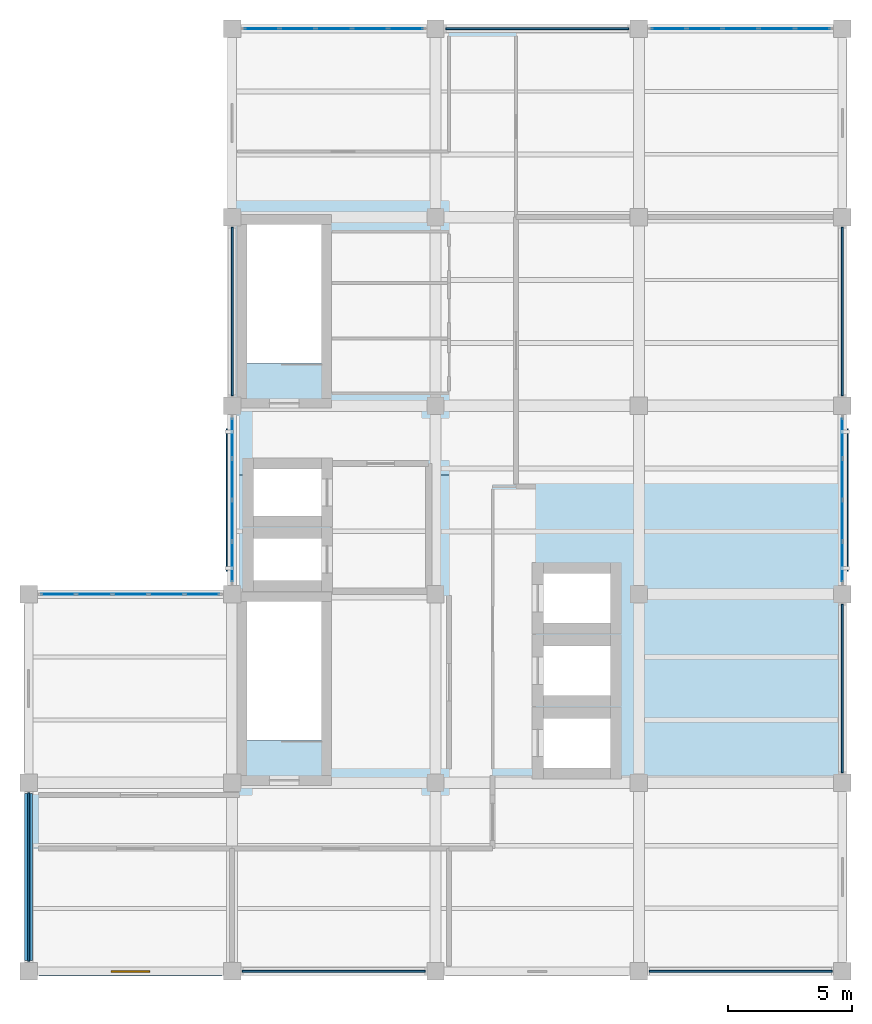
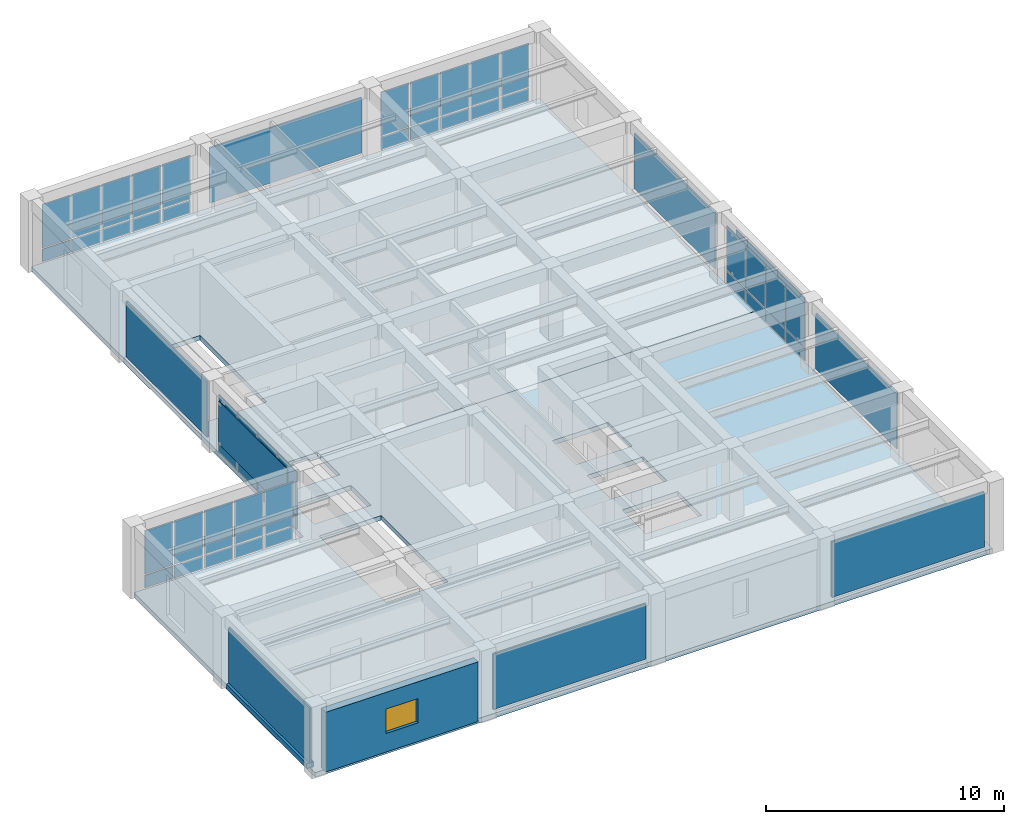
# One storey, part 5 of 8: 55 plates, 2 slabs, 2 walls, 1 window, 1 opening, 5 elements without a shape of their own.
"""IFC4 building model written with IfcOpenShell, lengths in metres."""

from ifc_helpers import new_model, si_unit, direction, frame, frame_2d, origin, origin_2d, place, context, subcontext, project, spatial, polyline, rectangle, outline, extrude, material, layer, layer_set, type_object, element, fill, aggregate, save


model = new_model("IFC4")

# Units and contexts
model_context = context("Model", 3, precision=1e-05, world=origin(), true_north=direction((0.0, 1.0)))
body_context = subcontext(model_context, "Body", "Model", "MODEL_VIEW")
ifc_project = project(units=[si_unit("LENGTHUNIT", "METRE"), si_unit("AREAUNIT", "SQUARE_METRE"), si_unit("VOLUMEUNIT", "CUBIC_METRE"), si_unit("PLANEANGLEUNIT", "RADIAN"), si_unit("MASSUNIT", "GRAM", prefix="KILO")], contexts=[model_context])

# Site, building, storey
site_placement = place(None, origin())
site = spatial("IfcSite", under=ifc_project, at=site_placement, CompositionType="ELEMENT")
building_placement = place(site_placement, origin())
building = spatial("IfcBuilding", under=site, at=building_placement, Name="Qandaris Square Conservatory and Botanical Centre", CompositionType="ELEMENT")
storey_placement = place(building_placement, frame((0.0, 0.0, 70.199951171875)))
storey = spatial("IfcBuildingStorey", under=building, at=storey_placement, Name="L16", CompositionType="ELEMENT", Elevation=70.199951171875)

# Plates
ifc_material_1 = material(Name="Anodised Aluminium", Category="aluminium")
ifc_layer_1 = layer(ifc_material_1, 0.080078125)
ifc_layer_set_1 = layer_set([ifc_layer_1], Name="Anodised Aluminium")
plate_type_1 = type_object("IfcPlateType", Name="Acoustic Plant Louvre Screen Panel", PredefinedType="USERDEFINED", material=ifc_layer_set_1)
for number, where, z_axis, x_axis, name in (
    (1, (143.300048828125, 16.60009765625, 0.239990234375), (0.0, 0.0, 1.0), (1.0, 0.0, 0.0), "Plant Louvre Screen L16-1.2"),
    (2, (159.699951171875, 16.60009765625, 0.239990234375), (0.0, 0.0, 1.0), (1.0, 0.0, 0.0), "Plant Louvre Screen L16-1.4"),
):
    element("IfcPlate", number, at=place(storey_placement, frame(where, z_axis=z_axis, x_axis=x_axis)), inside=storey, type_object=plate_type_1, Name=name, ObjectType="PLANT LOUVRE", PredefinedType="USERDEFINED", context=body_context, shape_type="SweptSolid", body=[
        extrude(rectangle(XDim=7.3798828125, YDim=0.080078125, at=origin_2d()), origin(), (0.0, 0.0, 1.0), 2.830078125),
    ])
for number, where, z_axis, x_axis, name in (
    (3, (163.800048828125, 28.0, 0.239990234375), (0.0, 0.0, 1.0), (0.0, 1.0, 0.0), "Plant Louvre Screen L16-2.2"),
    (4, (163.800048828125, 43.199951171875, 0.239990234375), (0.0, 0.0, 1.0), (0.0, 1.0, 0.0), "Plant Louvre Screen L16-2.4"),
):
    element("IfcPlate", number, at=place(storey_placement, frame(where, z_axis=z_axis, x_axis=x_axis)), inside=storey, type_object=plate_type_1, Name=name, ObjectType="PLANT LOUVRE", PredefinedType="USERDEFINED", context=body_context, shape_type="SweptSolid", body=[
        extrude(rectangle(XDim=6.780029296875, YDim=0.080078125, at=origin_2d()), origin(), (0.0, 0.0, 1.0), 2.830078125),
    ])
plate_1_placement = place(storey_placement, frame((151.5, 54.60009765625, 0.239990234375), z_axis=(0.0, 0.0, 1.0), x_axis=(-1.0, 0.0, 0.0)))
element("IfcPlate", 5, at=plate_1_placement, inside=storey, type_object=plate_type_1, Name="Plant Louvre Screen L16-3.2", ObjectType="PLANT LOUVRE", PredefinedType="USERDEFINED", context=body_context, shape_type="SweptSolid", body=[
    extrude(rectangle(XDim=7.3798828125, YDim=0.080078125, at=origin_2d()), origin(), (0.0, 0.0, 1.0), 2.830078125),
])
for number, where, z_axis, x_axis, name in (
    (6, (139.199951171875, 43.199951171875, 0.239990234375), (0.0, 0.0, 1.0), (0.0, -1.0, 0.0), "Plant Louvre Screen L16-4.2"),
    (7, (131.0, 20.39990234375, 0.239990234375), (0.0, 0.0, 1.0), (0.0, -1.0, 0.0), "Plant Louvre Screen L16-6.2"),
):
    element("IfcPlate", number, at=place(storey_placement, frame(where, z_axis=z_axis, x_axis=x_axis)), inside=storey, type_object=plate_type_1, Name=name, ObjectType="PLANT LOUVRE", PredefinedType="USERDEFINED", context=body_context, shape_type="SweptSolid", body=[
        extrude(rectangle(XDim=6.780029296875, YDim=0.080078125, at=origin_2d()), origin(), (0.0, 0.0, 1.0), 2.830078125),
    ])

# Curtain wall, plates
curtain_wall_type_1 = type_object("IfcCurtainWallType", Name="Unitised Curtain Wall CW-4-670x307", PredefinedType="USERDEFINED", material=ifc_material_1)
curtain_wall_1_placement = place(storey_placement, origin())
curtain_wall_1 = element("IfcCurtainWall", 8, at=curtain_wall_1_placement, inside=storey, type_object=curtain_wall_type_1, Name="Curtain Wall CW-TWR-L16-2-3", ObjectType="GLAZED CURTAIN WALL", PredefinedType="USERDEFINED")
ifc_material_2 = material(Name="Tempered Low-E Glass", Category="glass")
ifc_layer_2 = layer(ifc_material_2, 0.035888671875)
ifc_layer_set_2 = layer_set([ifc_layer_2], Name="Tempered Low-E Glass")
plate_type_2 = type_object("IfcPlateType", Name="Double-Glazed Solar Control Vision Unit 36mm", PredefinedType="CURTAIN_PANEL", material=ifc_layer_set_2)
plate_2_placement = place(storey_placement, frame((163.800048828125, 33.103759765625, 0.06494140625), z_axis=(0.0, 0.0, 1.0), x_axis=(0.0, 1.0, 0.0)))
plate_2 = element("IfcPlate", 9, at=plate_2_placement, type_object=plate_type_2, Name="CW-4-670x307 panel 1.1", PredefinedType="CURTAIN_PANEL", context=body_context, shape_type="SweptSolid", body=[
    extrude(rectangle(XDim=1.577392578125, YDim=0.035888671875, at=origin_2d()), origin(), (0.0, 0.0, 1.0), 0.639404296875),
])
plate_3_placement = place(storey_placement, frame((163.800048828125, 33.103759765625, 0.76953125), z_axis=(0.0, 0.0, 1.0), x_axis=(0.0, 1.0, 0.0)))
plate_3 = element("IfcPlate", 10, at=plate_3_placement, type_object=plate_type_2, Name="CW-4-670x307 panel 1.2", PredefinedType="CURTAIN_PANEL", context=body_context, shape_type="SweptSolid", body=[
    extrude(rectangle(XDim=1.577392578125, YDim=0.035888671875, at=origin_2d()), origin(), (0.0, 0.0, 1.0), 2.235595703125),
])
plate_4_placement = place(storey_placement, frame((163.800048828125, 34.762451171875, 0.06494140625), z_axis=(0.0, 0.0, 1.0), x_axis=(0.0, 1.0, 0.0)))
plate_4 = element("IfcPlate", 11, at=plate_4_placement, type_object=plate_type_2, Name="CW-4-670x307 panel 2.1", PredefinedType="CURTAIN_PANEL", context=body_context, shape_type="SweptSolid", body=[
    extrude(rectangle(XDim=1.610107421875, YDim=0.035888671875, at=origin_2d()), origin(), (0.0, 0.0, 1.0), 0.639404296875),
])
plate_5_placement = place(storey_placement, frame((163.800048828125, 34.762451171875, 0.76953125), z_axis=(0.0, 0.0, 1.0), x_axis=(0.0, 1.0, 0.0)))
plate_5 = element("IfcPlate", 12, at=plate_5_placement, type_object=plate_type_2, Name="CW-4-670x307 panel 2.2", PredefinedType="CURTAIN_PANEL", context=body_context, shape_type="SweptSolid", body=[
    extrude(rectangle(XDim=1.610107421875, YDim=0.035888671875, at=origin_2d()), origin(), (0.0, 0.0, 1.0), 2.235595703125),
])
plate_6_placement = place(storey_placement, frame((163.800048828125, 36.4375, 0.06494140625), z_axis=(0.0, 0.0, 1.0), x_axis=(0.0, 1.0, 0.0)))
plate_6 = element("IfcPlate", 13, at=plate_6_placement, type_object=plate_type_2, Name="CW-4-670x307 panel 3.1", PredefinedType="CURTAIN_PANEL", context=body_context, shape_type="SweptSolid", body=[
    extrude(rectangle(XDim=1.610107421875, YDim=0.035888671875, at=origin_2d()), origin(), (0.0, 0.0, 1.0), 0.639404296875),
])
plate_7_placement = place(storey_placement, frame((163.800048828125, 36.4375, 0.76953125), z_axis=(0.0, 0.0, 1.0), x_axis=(0.0, 1.0, 0.0)))
plate_7 = element("IfcPlate", 14, at=plate_7_placement, type_object=plate_type_2, Name="CW-4-670x307 panel 3.2", PredefinedType="CURTAIN_PANEL", context=body_context, shape_type="SweptSolid", body=[
    extrude(rectangle(XDim=1.610107421875, YDim=0.035888671875, at=origin_2d()), origin(), (0.0, 0.0, 1.0), 2.235595703125),
])
plate_8_placement = place(storey_placement, frame((163.800048828125, 38.09619140625, 0.06494140625), z_axis=(0.0, 0.0, 1.0), x_axis=(0.0, 1.0, 0.0)))
plate_8 = element("IfcPlate", 15, at=plate_8_placement, type_object=plate_type_2, Name="CW-4-670x307 panel 4.1", PredefinedType="CURTAIN_PANEL", context=body_context, shape_type="SweptSolid", body=[
    extrude(rectangle(XDim=1.577392578125, YDim=0.035888671875, at=origin_2d()), origin(), (0.0, 0.0, 1.0), 0.639404296875),
])
plate_9_placement = place(storey_placement, frame((163.800048828125, 38.09619140625, 0.76953125), z_axis=(0.0, 0.0, 1.0), x_axis=(0.0, 1.0, 0.0)))
plate_9 = element("IfcPlate", 16, at=plate_9_placement, type_object=plate_type_2, Name="CW-4-670x307 panel 4.2", PredefinedType="CURTAIN_PANEL", context=body_context, shape_type="SweptSolid", body=[
    extrude(rectangle(XDim=1.577392578125, YDim=0.035888671875, at=origin_2d()), origin(), (0.0, 0.0, 1.0), 2.235595703125),
])
aggregate(curtain_wall_1, [plate_2, plate_3, plate_4, plate_5, plate_6, plate_7, plate_8, plate_9])

curtain_wall_type_2 = type_object("IfcCurtainWallType", Name="Unitised Curtain Wall CW-3-730x307", PredefinedType="USERDEFINED", material=ifc_material_1)
curtain_wall_2_placement = place(storey_placement, origin())
curtain_wall_2 = element("IfcCurtainWall", 17, at=curtain_wall_2_placement, inside=storey, type_object=curtain_wall_type_2, Name="Curtain Wall CW-TWR-L16-3-1", ObjectType="GLAZED CURTAIN WALL", PredefinedType="USERDEFINED")
plate_10_placement = place(storey_placement, frame((162.603759765625, 54.60009765625, 0.06494140625), z_axis=(0.0, 0.0, 1.0), x_axis=(-1.0, 0.0, 0.0)))
plate_10 = element("IfcPlate", 18, at=plate_10_placement, type_object=plate_type_2, Name="CW-3-730x307 panel 1.1", PredefinedType="CURTAIN_PANEL", context=body_context, shape_type="SweptSolid", body=[
    extrude(rectangle(XDim=1.362548828125, YDim=0.035888671875, at=origin_2d()), origin(), (0.0, 0.0, 1.0), 0.639404296875),
])
plate_11_placement = place(storey_placement, frame((162.603759765625, 54.60009765625, 0.76953125), z_axis=(0.0, 0.0, 1.0), x_axis=(-1.0, 0.0, 0.0)))
plate_11 = element("IfcPlate", 19, at=plate_11_placement, type_object=plate_type_2, Name="CW-3-730x307 panel 1.2", PredefinedType="CURTAIN_PANEL", context=body_context, shape_type="SweptSolid", body=[
    extrude(rectangle(XDim=1.362548828125, YDim=0.035888671875, at=origin_2d()), origin(), (0.0, 0.0, 1.0), 2.235595703125),
])
plate_12_placement = place(storey_placement, frame((161.159912109375, 54.60009765625, 0.06494140625), z_axis=(0.0, 0.0, 1.0), x_axis=(-1.0, 0.0, 0.0)))
plate_12 = element("IfcPlate", 20, at=plate_12_placement, type_object=plate_type_2, Name="CW-3-730x307 panel 2.1", PredefinedType="CURTAIN_PANEL", context=body_context, shape_type="SweptSolid", body=[
    extrude(rectangle(XDim=1.39501953125, YDim=0.035888671875, at=origin_2d()), origin(), (0.0, 0.0, 1.0), 0.639404296875),
])
plate_13_placement = place(storey_placement, frame((161.159912109375, 54.60009765625, 0.76953125), z_axis=(0.0, 0.0, 1.0), x_axis=(-1.0, 0.0, 0.0)))
plate_13 = element("IfcPlate", 21, at=plate_13_placement, type_object=plate_type_2, Name="CW-3-730x307 panel 2.2", PredefinedType="CURTAIN_PANEL", context=body_context, shape_type="SweptSolid", body=[
    extrude(rectangle(XDim=1.39501953125, YDim=0.035888671875, at=origin_2d()), origin(), (0.0, 0.0, 1.0), 2.235595703125),
])
plate_14_placement = place(storey_placement, frame((159.699951171875, 54.60009765625, 0.06494140625), z_axis=(0.0, 0.0, 1.0), x_axis=(-1.0, 0.0, 0.0)))
plate_14 = element("IfcPlate", 22, at=plate_14_placement, type_object=plate_type_2, Name="CW-3-730x307 panel 3.1", PredefinedType="CURTAIN_PANEL", context=body_context, shape_type="SweptSolid", body=[
    extrude(rectangle(XDim=1.39501953125, YDim=0.035888671875, at=origin_2d()), origin(), (0.0, 0.0, 1.0), 0.639404296875),
])
plate_15_placement = place(storey_placement, frame((159.699951171875, 54.60009765625, 0.76953125), z_axis=(0.0, 0.0, 1.0), x_axis=(-1.0, 0.0, 0.0)))
plate_15 = element("IfcPlate", 23, at=plate_15_placement, type_object=plate_type_2, Name="CW-3-730x307 panel 3.2", PredefinedType="CURTAIN_PANEL", context=body_context, shape_type="SweptSolid", body=[
    extrude(rectangle(XDim=1.39501953125, YDim=0.035888671875, at=origin_2d()), origin(), (0.0, 0.0, 1.0), 2.235595703125),
])
plate_16_placement = place(storey_placement, frame((158.239990234375, 54.60009765625, 0.06494140625), z_axis=(0.0, 0.0, 1.0), x_axis=(-1.0, 0.0, 0.0)))
plate_16 = element("IfcPlate", 24, at=plate_16_placement, type_object=plate_type_2, Name="CW-3-730x307 panel 4.1", PredefinedType="CURTAIN_PANEL", context=body_context, shape_type="SweptSolid", body=[
    extrude(rectangle(XDim=1.39501953125, YDim=0.035888671875, at=origin_2d()), origin(), (0.0, 0.0, 1.0), 0.639404296875),
])
plate_17_placement = place(storey_placement, frame((158.239990234375, 54.60009765625, 0.76953125), z_axis=(0.0, 0.0, 1.0), x_axis=(-1.0, 0.0, 0.0)))
plate_17 = element("IfcPlate", 25, at=plate_17_placement, type_object=plate_type_2, Name="CW-3-730x307 panel 4.2", PredefinedType="CURTAIN_PANEL", context=body_context, shape_type="SweptSolid", body=[
    extrude(rectangle(XDim=1.39501953125, YDim=0.035888671875, at=origin_2d()), origin(), (0.0, 0.0, 1.0), 2.235595703125),
])
plate_18_placement = place(storey_placement, frame((156.796142578125, 54.60009765625, 0.06494140625), z_axis=(0.0, 0.0, 1.0), x_axis=(-1.0, 0.0, 0.0)))
plate_18 = element("IfcPlate", 26, at=plate_18_placement, type_object=plate_type_2, Name="CW-3-730x307 panel 5.1", PredefinedType="CURTAIN_PANEL", context=body_context, shape_type="SweptSolid", body=[
    extrude(rectangle(XDim=1.362548828125, YDim=0.035888671875, at=origin_2d()), origin(), (0.0, 0.0, 1.0), 0.639404296875),
])
plate_19_placement = place(storey_placement, frame((156.796142578125, 54.60009765625, 0.76953125), z_axis=(0.0, 0.0, 1.0), x_axis=(-1.0, 0.0, 0.0)))
plate_19 = element("IfcPlate", 27, at=plate_19_placement, type_object=plate_type_2, Name="CW-3-730x307 panel 5.2", PredefinedType="CURTAIN_PANEL", context=body_context, shape_type="SweptSolid", body=[
    extrude(rectangle(XDim=1.362548828125, YDim=0.035888671875, at=origin_2d()), origin(), (0.0, 0.0, 1.0), 2.235595703125),
])
aggregate(curtain_wall_2, [plate_10, plate_11, plate_12, plate_13, plate_14, plate_15, plate_16, plate_17, plate_18, plate_19])

curtain_wall_3_placement = place(storey_placement, origin())
curtain_wall_3 = element("IfcCurtainWall", 28, at=curtain_wall_3_placement, inside=storey, type_object=curtain_wall_type_2, Name="Curtain Wall CW-TWR-L16-3-3", ObjectType="GLAZED CURTAIN WALL", PredefinedType="USERDEFINED")
plate_20_placement = place(storey_placement, frame((146.203857421875, 54.60009765625, 0.06494140625), z_axis=(0.0, 0.0, 1.0), x_axis=(-1.0, 0.0, 0.0)))
plate_20 = element("IfcPlate", 29, at=plate_20_placement, type_object=plate_type_2, Name="CW-3-730x307 panel 1.1", PredefinedType="CURTAIN_PANEL", context=body_context, shape_type="SweptSolid", body=[
    extrude(rectangle(XDim=1.362548828125, YDim=0.035888671875, at=origin_2d()), origin(), (0.0, 0.0, 1.0), 0.639404296875),
])
plate_21_placement = place(storey_placement, frame((146.203857421875, 54.60009765625, 0.76953125), z_axis=(0.0, 0.0, 1.0), x_axis=(-1.0, 0.0, 0.0)))
plate_21 = element("IfcPlate", 30, at=plate_21_placement, type_object=plate_type_2, Name="CW-3-730x307 panel 1.2", PredefinedType="CURTAIN_PANEL", context=body_context, shape_type="SweptSolid", body=[
    extrude(rectangle(XDim=1.362548828125, YDim=0.035888671875, at=origin_2d()), origin(), (0.0, 0.0, 1.0), 2.235595703125),
])
plate_22_placement = place(storey_placement, frame((144.760009765625, 54.60009765625, 0.06494140625), z_axis=(0.0, 0.0, 1.0), x_axis=(-1.0, 0.0, 0.0)))
plate_22 = element("IfcPlate", 31, at=plate_22_placement, type_object=plate_type_2, Name="CW-3-730x307 panel 2.1", PredefinedType="CURTAIN_PANEL", context=body_context, shape_type="SweptSolid", body=[
    extrude(rectangle(XDim=1.39501953125, YDim=0.035888671875, at=origin_2d()), origin(), (0.0, 0.0, 1.0), 0.639404296875),
])
plate_23_placement = place(storey_placement, frame((144.760009765625, 54.60009765625, 0.76953125), z_axis=(0.0, 0.0, 1.0), x_axis=(-1.0, 0.0, 0.0)))
plate_23 = element("IfcPlate", 32, at=plate_23_placement, type_object=plate_type_2, Name="CW-3-730x307 panel 2.2", PredefinedType="CURTAIN_PANEL", context=body_context, shape_type="SweptSolid", body=[
    extrude(rectangle(XDim=1.39501953125, YDim=0.035888671875, at=origin_2d()), origin(), (0.0, 0.0, 1.0), 2.235595703125),
])
plate_24_placement = place(storey_placement, frame((143.300048828125, 54.60009765625, 0.06494140625), z_axis=(0.0, 0.0, 1.0), x_axis=(-1.0, 0.0, 0.0)))
plate_24 = element("IfcPlate", 33, at=plate_24_placement, type_object=plate_type_2, Name="CW-3-730x307 panel 3.1", PredefinedType="CURTAIN_PANEL", context=body_context, shape_type="SweptSolid", body=[
    extrude(rectangle(XDim=1.39501953125, YDim=0.035888671875, at=origin_2d()), origin(), (0.0, 0.0, 1.0), 0.639404296875),
])
plate_25_placement = place(storey_placement, frame((143.300048828125, 54.60009765625, 0.76953125), z_axis=(0.0, 0.0, 1.0), x_axis=(-1.0, 0.0, 0.0)))
plate_25 = element("IfcPlate", 34, at=plate_25_placement, type_object=plate_type_2, Name="CW-3-730x307 panel 3.2", PredefinedType="CURTAIN_PANEL", context=body_context, shape_type="SweptSolid", body=[
    extrude(rectangle(XDim=1.39501953125, YDim=0.035888671875, at=origin_2d()), origin(), (0.0, 0.0, 1.0), 2.235595703125),
])
plate_26_placement = place(storey_placement, frame((141.840087890625, 54.60009765625, 0.06494140625), z_axis=(0.0, 0.0, 1.0), x_axis=(-1.0, 0.0, 0.0)))
plate_26 = element("IfcPlate", 35, at=plate_26_placement, type_object=plate_type_2, Name="CW-3-730x307 panel 4.1", PredefinedType="CURTAIN_PANEL", context=body_context, shape_type="SweptSolid", body=[
    extrude(rectangle(XDim=1.39501953125, YDim=0.035888671875, at=origin_2d()), origin(), (0.0, 0.0, 1.0), 0.639404296875),
])
plate_27_placement = place(storey_placement, frame((141.840087890625, 54.60009765625, 0.76953125), z_axis=(0.0, 0.0, 1.0), x_axis=(-1.0, 0.0, 0.0)))
plate_27 = element("IfcPlate", 36, at=plate_27_placement, type_object=plate_type_2, Name="CW-3-730x307 panel 4.2", PredefinedType="CURTAIN_PANEL", context=body_context, shape_type="SweptSolid", body=[
    extrude(rectangle(XDim=1.39501953125, YDim=0.035888671875, at=origin_2d()), origin(), (0.0, 0.0, 1.0), 2.235595703125),
])
plate_28_placement = place(storey_placement, frame((140.396240234375, 54.60009765625, 0.06494140625), z_axis=(0.0, 0.0, 1.0), x_axis=(-1.0, 0.0, 0.0)))
plate_28 = element("IfcPlate", 37, at=plate_28_placement, type_object=plate_type_2, Name="CW-3-730x307 panel 5.1", PredefinedType="CURTAIN_PANEL", context=body_context, shape_type="SweptSolid", body=[
    extrude(rectangle(XDim=1.362548828125, YDim=0.035888671875, at=origin_2d()), origin(), (0.0, 0.0, 1.0), 0.639404296875),
])
plate_29_placement = place(storey_placement, frame((140.396240234375, 54.60009765625, 0.76953125), z_axis=(0.0, 0.0, 1.0), x_axis=(-1.0, 0.0, 0.0)))
plate_29 = element("IfcPlate", 38, at=plate_29_placement, type_object=plate_type_2, Name="CW-3-730x307 panel 5.2", PredefinedType="CURTAIN_PANEL", context=body_context, shape_type="SweptSolid", body=[
    extrude(rectangle(XDim=1.362548828125, YDim=0.035888671875, at=origin_2d()), origin(), (0.0, 0.0, 1.0), 2.235595703125),
])
aggregate(curtain_wall_3, [plate_20, plate_21, plate_22, plate_23, plate_24, plate_25, plate_26, plate_27, plate_28, plate_29])

curtain_wall_4_placement = place(storey_placement, origin())
curtain_wall_4 = element("IfcCurtainWall", 39, at=curtain_wall_4_placement, inside=storey, type_object=curtain_wall_type_1, Name="Curtain Wall CW-TWR-L16-4-3", ObjectType="GLAZED CURTAIN WALL", PredefinedType="USERDEFINED")
plate_30_placement = place(storey_placement, frame((139.199951171875, 38.09619140625, 0.06494140625), z_axis=(0.0, 0.0, 1.0), x_axis=(0.0, -1.0, 0.0)))
plate_30 = element("IfcPlate", 40, at=plate_30_placement, type_object=plate_type_2, Name="CW-4-670x307 panel 1.1", PredefinedType="CURTAIN_PANEL", context=body_context, shape_type="SweptSolid", body=[
    extrude(rectangle(XDim=1.577392578125, YDim=0.035888671875, at=origin_2d()), origin(), (0.0, 0.0, 1.0), 0.639404296875),
])
plate_31_placement = place(storey_placement, frame((139.199951171875, 38.09619140625, 0.76953125), z_axis=(0.0, 0.0, 1.0), x_axis=(0.0, -1.0, 0.0)))
plate_31 = element("IfcPlate", 41, at=plate_31_placement, type_object=plate_type_2, Name="CW-4-670x307 panel 1.2", PredefinedType="CURTAIN_PANEL", context=body_context, shape_type="SweptSolid", body=[
    extrude(rectangle(XDim=1.577392578125, YDim=0.035888671875, at=origin_2d()), origin(), (0.0, 0.0, 1.0), 2.235595703125),
])
plate_32_placement = place(storey_placement, frame((139.199951171875, 36.4375, 0.06494140625), z_axis=(0.0, 0.0, 1.0), x_axis=(0.0, -1.0, 0.0)))
plate_32 = element("IfcPlate", 42, at=plate_32_placement, type_object=plate_type_2, Name="CW-4-670x307 panel 2.1", PredefinedType="CURTAIN_PANEL", context=body_context, shape_type="SweptSolid", body=[
    extrude(rectangle(XDim=1.610107421875, YDim=0.035888671875, at=origin_2d()), origin(), (0.0, 0.0, 1.0), 0.639404296875),
])
plate_33_placement = place(storey_placement, frame((139.199951171875, 36.4375, 0.76953125), z_axis=(0.0, 0.0, 1.0), x_axis=(0.0, -1.0, 0.0)))
plate_33 = element("IfcPlate", 43, at=plate_33_placement, type_object=plate_type_2, Name="CW-4-670x307 panel 2.2", PredefinedType="CURTAIN_PANEL", context=body_context, shape_type="SweptSolid", body=[
    extrude(rectangle(XDim=1.610107421875, YDim=0.035888671875, at=origin_2d()), origin(), (0.0, 0.0, 1.0), 2.235595703125),
])
plate_34_placement = place(storey_placement, frame((139.199951171875, 34.762451171875, 0.06494140625), z_axis=(0.0, 0.0, 1.0), x_axis=(0.0, -1.0, 0.0)))
plate_34 = element("IfcPlate", 44, at=plate_34_placement, type_object=plate_type_2, Name="CW-4-670x307 panel 3.1", PredefinedType="CURTAIN_PANEL", context=body_context, shape_type="SweptSolid", body=[
    extrude(rectangle(XDim=1.610107421875, YDim=0.035888671875, at=origin_2d()), origin(), (0.0, 0.0, 1.0), 0.639404296875),
])
plate_35_placement = place(storey_placement, frame((139.199951171875, 34.762451171875, 0.76953125), z_axis=(0.0, 0.0, 1.0), x_axis=(0.0, -1.0, 0.0)))
plate_35 = element("IfcPlate", 45, at=plate_35_placement, type_object=plate_type_2, Name="CW-4-670x307 panel 3.2", PredefinedType="CURTAIN_PANEL", context=body_context, shape_type="SweptSolid", body=[
    extrude(rectangle(XDim=1.610107421875, YDim=0.035888671875, at=origin_2d()), origin(), (0.0, 0.0, 1.0), 2.235595703125),
])
plate_36_placement = place(storey_placement, frame((139.199951171875, 33.103759765625, 0.06494140625), z_axis=(0.0, 0.0, 1.0), x_axis=(0.0, -1.0, 0.0)))
plate_36 = element("IfcPlate", 46, at=plate_36_placement, type_object=plate_type_2, Name="CW-4-670x307 panel 4.1", PredefinedType="CURTAIN_PANEL", context=body_context, shape_type="SweptSolid", body=[
    extrude(rectangle(XDim=1.577392578125, YDim=0.035888671875, at=origin_2d()), origin(), (0.0, 0.0, 1.0), 0.639404296875),
])
plate_37_placement = place(storey_placement, frame((139.199951171875, 33.103759765625, 0.76953125), z_axis=(0.0, 0.0, 1.0), x_axis=(0.0, -1.0, 0.0)))
plate_37 = element("IfcPlate", 47, at=plate_37_placement, type_object=plate_type_2, Name="CW-4-670x307 panel 4.2", PredefinedType="CURTAIN_PANEL", context=body_context, shape_type="SweptSolid", body=[
    extrude(rectangle(XDim=1.577392578125, YDim=0.035888671875, at=origin_2d()), origin(), (0.0, 0.0, 1.0), 2.235595703125),
])
aggregate(curtain_wall_4, [plate_30, plate_31, plate_32, plate_33, plate_34, plate_35, plate_36, plate_37])

curtain_wall_type_3 = type_object("IfcCurtainWallType", Name="Unitised Curtain Wall CW-4-730x307", PredefinedType="USERDEFINED", material=ifc_material_1)
curtain_wall_5_placement = place(storey_placement, origin())
curtain_wall_5 = element("IfcCurtainWall", 48, at=curtain_wall_5_placement, inside=storey, type_object=curtain_wall_type_3, Name="Curtain Wall CW-TWR-L16-5-1", ObjectType="GLAZED CURTAIN WALL", PredefinedType="USERDEFINED")
plate_38_placement = place(storey_placement, frame((138.003662109375, 31.800048828125, 0.06494140625), z_axis=(0.0, 0.0, 1.0), x_axis=(-1.0, 0.0, 0.0)))
plate_38 = element("IfcPlate", 49, at=plate_38_placement, type_object=plate_type_2, Name="CW-4-730x307 panel 1.1", PredefinedType="CURTAIN_PANEL", context=body_context, shape_type="SweptSolid", body=[
    extrude(rectangle(XDim=1.362548828125, YDim=0.035888671875, at=origin_2d()), origin(), (0.0, 0.0, 1.0), 0.639404296875),
])
plate_39_placement = place(storey_placement, frame((138.003662109375, 31.800048828125, 0.76953125), z_axis=(0.0, 0.0, 1.0), x_axis=(-1.0, 0.0, 0.0)))
plate_39 = element("IfcPlate", 50, at=plate_39_placement, type_object=plate_type_2, Name="CW-4-730x307 panel 1.2", PredefinedType="CURTAIN_PANEL", context=body_context, shape_type="SweptSolid", body=[
    extrude(rectangle(XDim=1.362548828125, YDim=0.035888671875, at=origin_2d()), origin(), (0.0, 0.0, 1.0), 2.235595703125),
])
plate_40_placement = place(storey_placement, frame((136.56005859375, 31.800048828125, 0.06494140625), z_axis=(0.0, 0.0, 1.0), x_axis=(-1.0, 0.0, 0.0)))
plate_40 = element("IfcPlate", 51, at=plate_40_placement, type_object=plate_type_2, Name="CW-4-730x307 panel 2.1", PredefinedType="CURTAIN_PANEL", context=body_context, shape_type="SweptSolid", body=[
    extrude(rectangle(XDim=1.39501953125, YDim=0.035888671875, at=origin_2d()), origin(), (0.0, 0.0, 1.0), 0.639404296875),
])
plate_41_placement = place(storey_placement, frame((136.56005859375, 31.800048828125, 0.76953125), z_axis=(0.0, 0.0, 1.0), x_axis=(-1.0, 0.0, 0.0)))
plate_41 = element("IfcPlate", 52, at=plate_41_placement, type_object=plate_type_2, Name="CW-4-730x307 panel 2.2", PredefinedType="CURTAIN_PANEL", context=body_context, shape_type="SweptSolid", body=[
    extrude(rectangle(XDim=1.39501953125, YDim=0.035888671875, at=origin_2d()), origin(), (0.0, 0.0, 1.0), 2.235595703125),
])
plate_42_placement = place(storey_placement, frame((135.10009765625, 31.800048828125, 0.06494140625), z_axis=(0.0, 0.0, 1.0), x_axis=(-1.0, 0.0, 0.0)))
plate_42 = element("IfcPlate", 53, at=plate_42_placement, type_object=plate_type_2, Name="CW-4-730x307 panel 3.1", PredefinedType="CURTAIN_PANEL", context=body_context, shape_type="SweptSolid", body=[
    extrude(rectangle(XDim=1.39501953125, YDim=0.035888671875, at=origin_2d()), origin(), (0.0, 0.0, 1.0), 0.639404296875),
])
plate_43_placement = place(storey_placement, frame((135.10009765625, 31.800048828125, 0.76953125), z_axis=(0.0, 0.0, 1.0), x_axis=(-1.0, 0.0, 0.0)))
plate_43 = element("IfcPlate", 54, at=plate_43_placement, type_object=plate_type_2, Name="CW-4-730x307 panel 3.2", PredefinedType="CURTAIN_PANEL", context=body_context, shape_type="SweptSolid", body=[
    extrude(rectangle(XDim=1.39501953125, YDim=0.035888671875, at=origin_2d()), origin(), (0.0, 0.0, 1.0), 2.235595703125),
])
plate_44_placement = place(storey_placement, frame((133.639892578125, 31.800048828125, 0.06494140625), z_axis=(0.0, 0.0, 1.0), x_axis=(-1.0, 0.0, 0.0)))
plate_44 = element("IfcPlate", 55, at=plate_44_placement, type_object=plate_type_2, Name="CW-4-730x307 panel 4.1", PredefinedType="CURTAIN_PANEL", context=body_context, shape_type="SweptSolid", body=[
    extrude(rectangle(XDim=1.39501953125, YDim=0.035888671875, at=origin_2d()), origin(), (0.0, 0.0, 1.0), 0.639404296875),
])
plate_45_placement = place(storey_placement, frame((133.639892578125, 31.800048828125, 0.76953125), z_axis=(0.0, 0.0, 1.0), x_axis=(-1.0, 0.0, 0.0)))
plate_45 = element("IfcPlate", 56, at=plate_45_placement, type_object=plate_type_2, Name="CW-4-730x307 panel 4.2", PredefinedType="CURTAIN_PANEL", context=body_context, shape_type="SweptSolid", body=[
    extrude(rectangle(XDim=1.39501953125, YDim=0.035888671875, at=origin_2d()), origin(), (0.0, 0.0, 1.0), 2.235595703125),
])
plate_46_placement = place(storey_placement, frame((132.1962890625, 31.800048828125, 0.06494140625), z_axis=(0.0, 0.0, 1.0), x_axis=(-1.0, 0.0, 0.0)))
plate_46 = element("IfcPlate", 57, at=plate_46_placement, type_object=plate_type_2, Name="CW-4-730x307 panel 5.1", PredefinedType="CURTAIN_PANEL", context=body_context, shape_type="SweptSolid", body=[
    extrude(rectangle(XDim=1.362548828125, YDim=0.035888671875, at=origin_2d()), origin(), (0.0, 0.0, 1.0), 0.639404296875),
])
plate_47_placement = place(storey_placement, frame((132.1962890625, 31.800048828125, 0.76953125), z_axis=(0.0, 0.0, 1.0), x_axis=(-1.0, 0.0, 0.0)))
plate_47 = element("IfcPlate", 58, at=plate_47_placement, type_object=plate_type_2, Name="CW-4-730x307 panel 5.2", PredefinedType="CURTAIN_PANEL", context=body_context, shape_type="SweptSolid", body=[
    extrude(rectangle(XDim=1.362548828125, YDim=0.035888671875, at=origin_2d()), origin(), (0.0, 0.0, 1.0), 2.235595703125),
])
aggregate(curtain_wall_5, [plate_38, plate_39, plate_40, plate_41, plate_42, plate_43, plate_44, plate_45, plate_46, plate_47])

# Plates
ifc_material_3 = material(Name="Weathering Bronze Alloy", Category="metal")
ifc_layer_3 = layer(ifc_material_3, 0.044921875)
ifc_layer_set_3 = layer_set([ifc_layer_3], Name="Weathering Bronze Alloy")
plate_type_3 = type_object("IfcPlateType", Name="Perforated Bronze Mashrabiya Solar Screen Panel", PredefinedType="USERDEFINED", material=ifc_layer_set_3)
for number, where, z_axis, x_axis, name in (
    (59, (164.02001953125, 35.60009765625, 0.76708984375), (0.0, 0.0, 1.0), (0.0, 1.0, 0.0), "Mashrabiya Solar Screen CW-TWR-L16-2-3"),
    (60, (138.97998046875, 35.60009765625, 0.76708984375), (0.0, 0.0, 1.0), (0.0, -1.0, 0.0), "Mashrabiya Solar Screen CW-TWR-L16-4-3"),
):
    element("IfcPlate", number, at=place(storey_placement, frame(where, z_axis=z_axis, x_axis=x_axis)), inside=storey, type_object=plate_type_3, Name=name, ObjectType="SOLAR SCREEN", PredefinedType="USERDEFINED", context=body_context, shape_type="SweptSolid", body=[
        extrude(rectangle(XDim=5.739990234375, YDim=0.044921875, at=origin_2d()), origin(), (0.0, 0.0, 1.0), 2.213134765625),
    ])

# Slabs
ifc_material_4 = material(Name="Concrete C40/50", Category="concrete")
ifc_layer_4 = layer(ifc_material_4, 0.239990234375)
ifc_layer_set_4 = layer_set([ifc_layer_4], Name="Concrete C40/50")
slab_type = type_object("IfcSlabType", Name="RC Structural Slab 240mm", PredefinedType="FLOOR", material=ifc_layer_set_4)
slab_1_placement = place(storey_placement, frame((0.0, 0.0, -0.239990234375)))
element("IfcSlab", 61, at=slab_1_placement, inside=storey, type_object=slab_type, Name="L16 Structural Slab V4L16", PredefinedType="FLOOR", context=body_context, shape_type="SweptSolid", body=[
    extrude(outline(polyline([(139.199951171875, 31.800048828125), (139.199951171875, 36.60009765625), (140.06005859375, 36.60009765625), (140.06005859375, 34.9599609375), (142.800048828125, 34.9599609375), (142.800048828125, 36.60009765625), (163.800048828125, 36.60009765625), (163.800048828125, 16.60009765625), (131.0, 16.60009765625), (131.0, 31.800048828125), (139.199951171875, 31.800048828125)]), holes=[polyline([(154.449951171875, 24.800048828125), (154.449951171875, 26.800048828125), (151.75, 26.800048828125), (151.75, 24.800048828125), (154.449951171875, 24.800048828125)]), polyline([(139.800048828125, 25.89990234375), (142.800048828125, 25.89990234375), (142.800048828125, 31.5), (139.800048828125, 31.5), (139.800048828125, 25.89990234375)]), polyline([(151.75, 27.719970703125), (154.449951171875, 27.719970703125), (154.449951171875, 29.719970703125), (151.75, 29.719970703125), (151.75, 27.719970703125)]), polyline([(151.75, 30.639892578125), (154.449951171875, 30.639892578125), (154.449951171875, 32.639892578125), (151.75, 32.639892578125), (151.75, 30.639892578125)]), polyline([(140.06005859375, 32.360107421875), (142.800048828125, 32.360107421875), (142.800048828125, 34.0400390625), (140.06005859375, 34.0400390625), (140.06005859375, 32.360107421875)])]), origin(), (0.0, 0.0, 1.0), 0.239990234375),
])
slab_2_placement = place(storey_placement, frame((0.0, 0.0, -0.239990234375)))
element("IfcSlab", 62, at=slab_2_placement, inside=storey, type_object=slab_type, Name="L16 Structural Slab V4L16", PredefinedType="FLOOR", context=body_context, shape_type="SweptSolid", body=[
    extrude(outline(polyline([(139.199951171875, 54.60009765625), (163.800048828125, 54.60009765625), (163.800048828125, 36.60009765625), (142.800048828125, 36.60009765625), (142.800048828125, 36.840087890625), (140.06005859375, 36.840087890625), (140.06005859375, 36.60009765625), (139.199951171875, 36.60009765625), (139.199951171875, 54.60009765625)]), holes=[polyline([(139.800048828125, 41.10009765625), (142.800048828125, 41.10009765625), (142.800048828125, 46.699951171875), (139.800048828125, 46.699951171875), (139.800048828125, 41.10009765625)])]), origin(), (0.0, 0.0, 1.0), 0.239990234375),
])

# Wall, opening, window
ifc_material_5 = material(Name="Precast concrete C40/50", Category="concrete")
ifc_layer_5 = layer(ifc_material_5, 0.360107421875)
ifc_layer_set_5 = layer_set([ifc_layer_5], Name="Precast concrete C40/50")
wall_type_1 = type_object("IfcWallType", Name="Architectural Precast Cladding Wall 360mm", PredefinedType="SOLIDWALL", material=ifc_layer_set_5)
wall_1_placement = place(storey_placement, frame((131.409912109375, 16.60009765625, 0.0), z_axis=(0.0, 0.0, 1.0), x_axis=(1.0, 0.0, 0.0)))
wall_1 = element("IfcWall", 63, at=wall_1_placement, inside=storey, type_object=wall_type_1, Name="Exterior Wall EW-TWR-L16-1-1", PredefinedType="SOLIDWALL", context=body_context, shape_type="SweptSolid", body=[
    extrude(rectangle(XDim=7.380126953125, YDim=0.360107421875, at=frame_2d((3.68994140625, 0.0))), origin(), (0.0, 0.0, 1.0), 3.054931640625),
])
opening_placement = place(wall_1_placement, frame((2.9150390625, 0.0, 0.949951171875)))
opening = element("IfcOpeningElement", 64, at=opening_placement, cuts=wall_1, Name="Opening WN-25", PredefinedType="OPENING", context=body_context, shape_type="SweptSolid", body=[
    extrude(rectangle(XDim=1.550048828125, YDim=1.25, at=frame_2d((0.77490234375, 0.625))), frame((0.0, 0.19189453125, 0.0), z_axis=(0.0, -1.0, 0.0), x_axis=(1.0, 0.0, 0.0)), (0.0, 0.0, 1.0), 0.384033203125),
])
window_type = type_object("IfcWindowType", Name="Solar Control Window 1550x1250", PartitioningType="DOUBLE_PANEL_VERTICAL", PredefinedType="WINDOW", material=ifc_material_2)
window_placement = place(opening_placement, origin())
window = element("IfcWindow", 65, at=window_placement, inside=storey, type_object=window_type, Name="Window EW-TWR-L16-1-1", OverallHeight=1.25, OverallWidth=1.550048828125, PartitioningType="DOUBLE_PANEL_VERTICAL", PredefinedType="WINDOW", context=body_context, shape_type="SweptSolid", body=[
    extrude(rectangle(XDim=1.550048828125, YDim=1.25, at=frame_2d((0.77490234375, 0.625))), frame((0.0, 0.030029296875, 0.0), z_axis=(0.0, -1.0, 0.0), x_axis=(1.0, 0.0, 0.0)), (0.0, 0.0, 1.0), 0.06005859375),
])
fill(opening, window)

# Wall
ifc_layer_6 = layer(ifc_material_5, 0.320068359375)
ifc_layer_set_6 = layer_set([ifc_layer_6], Name="Precast concrete C40/50")
wall_type_2 = type_object("IfcWallType", Name="Spandrel Backpan Insulated Wall 320mm", PredefinedType="PARAPET", material=ifc_layer_set_6)
wall_2_placement = place(storey_placement, frame((131.0, 23.77001953125, 0.0), z_axis=(0.0, 0.0, 1.0), x_axis=(0.0, -1.0, 0.0)))
element("IfcWall", 66, at=wall_2_placement, inside=storey, type_object=wall_type_2, Name="Plant Sill Upstand 6.2", PredefinedType="PARAPET", context=body_context, shape_type="SweptSolid", body=[
    extrude(rectangle(XDim=6.739990234375, YDim=0.320068359375, at=frame_2d((3.3701171875, 0.0))), origin(), (0.0, 0.0, 1.0), 0.25),
])

save(model, "model.ifc")
